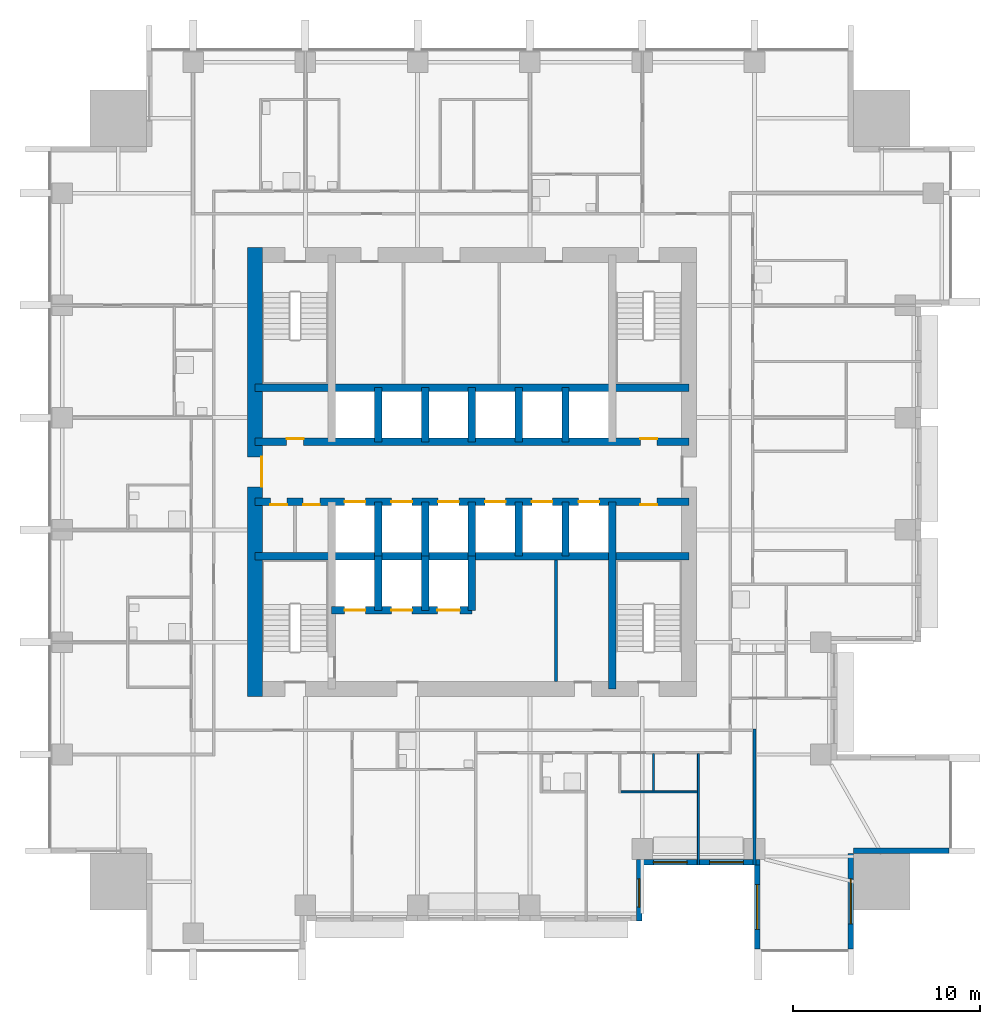
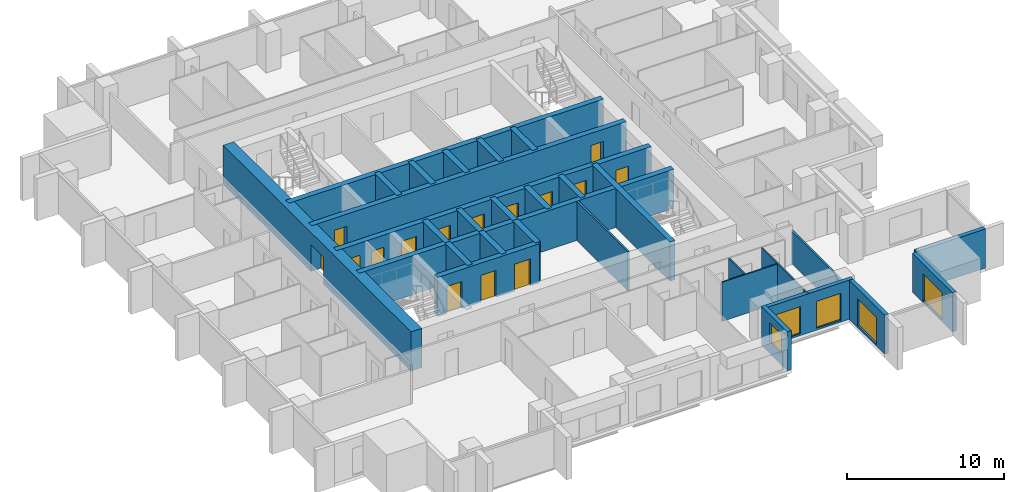
# One storey, part 5 of 10: 30 walls, 15 doors, 5 windows, 20 openings.
"""IFC4 building model written with IfcOpenShell, lengths in metres."""

from ifc_helpers import new_model, si_unit, direction, frame, frame_2d, origin, place, context, subcontext, project, spatial, rectangle, extrude, material, layer, layer_set, type_object, element, fill, save


model = new_model("IFC4")

# Units and contexts
model_context = context("Model", 3, precision=1e-05, world=origin(), true_north=direction((0.0, 1.0)))
body_context = subcontext(model_context, "Body", "Model", "MODEL_VIEW")
ifc_project = project(units=[si_unit("LENGTHUNIT", "METRE"), si_unit("AREAUNIT", "SQUARE_METRE"), si_unit("VOLUMEUNIT", "CUBIC_METRE"), si_unit("PLANEANGLEUNIT", "RADIAN"), si_unit("MASSUNIT", "GRAM", prefix="KILO")], contexts=[model_context])

# Site, building, storey
site_placement = place(None, origin())
site = spatial("IfcSite", under=ifc_project, at=site_placement, CompositionType="ELEMENT")
building_placement = place(site_placement, origin())
building = spatial("IfcBuilding", under=site, at=building_placement, Name="Amberfall Residences", CompositionType="ELEMENT")
storey_placement = place(building_placement, frame((0.0, 0.0, 85.300048828125)))
storey = spatial("IfcBuildingStorey", under=building, at=storey_placement, Name="L22", CompositionType="ELEMENT", Elevation=85.300048828125)

# Wall, opening, window
ifc_material_1 = material(Name="Pale stone cladding on insulated backing", Category="masonry")
ifc_layer_1 = layer(ifc_material_1, 0.300048828125)
ifc_layer_set_1 = layer_set([ifc_layer_1], Name="Bronze clad wall 300")
wall_type_1 = type_object("IfcWallType", Name="Bronze clad wall 300", PredefinedType="SOLIDWALL", material=ifc_layer_set_1)
wall_1_placement = place(storey_placement, frame((83.449951171875, 21.5, 0.0), z_axis=(0.0, 0.0, 1.0), x_axis=(0.0, 1.0, 0.0)))
wall_1 = element("IfcWall", 1, at=wall_1_placement, inside=storey, type_object=wall_type_1, Name="External wall L22 S", PredefinedType="SOLIDWALL", context=body_context, shape_type="SweptSolid", body=[
    extrude(rectangle(XDim=3.300048828125, YDim=0.300048828125, at=frame_2d((1.64990234375, 0.0))), origin(), (0.0, 0.0, 1.0), 3.050048828125),
])
opening_1_placement = place(wall_1_placement, frame((0.75, 0.0, 0.89990234375)))
opening_1 = element("IfcOpeningElement", 2, at=opening_1_placement, cuts=wall_1, Name="Opening WN1", PredefinedType="OPENING", context=body_context, shape_type="SweptSolid", body=[
    extrude(rectangle(XDim=1.5, YDim=1.5, at=frame_2d((0.75, 0.75))), frame((0.0, 0.159912109375, 0.0), z_axis=(0.0, -1.0, 0.0), x_axis=(1.0, 0.0, 0.0)), (0.0, 0.0, 1.0), 0.320068359375),
])
ifc_material_2 = material(Name="Bronze aluminium framed glazing", Category="aluminium")
window_type_1 = type_object("IfcWindowType", Name="Window 1500 x 1500 bronze", PartitioningType="DOUBLE_PANEL_VERTICAL", PredefinedType="WINDOW", material=ifc_material_2)
window_1_placement = place(opening_1_placement, origin())
window_1 = element("IfcWindow", 3, at=window_1_placement, inside=storey, type_object=window_type_1, Name="Window L22 S", OverallHeight=1.5, OverallWidth=1.5, PartitioningType="DOUBLE_PANEL_VERTICAL", PredefinedType="WINDOW", context=body_context, shape_type="SweptSolid", body=[
    extrude(rectangle(XDim=1.5, YDim=1.5, at=frame_2d((0.75, 0.75))), frame((0.0, 0.030029296875, 0.0), z_axis=(0.0, -1.0, 0.0), x_axis=(1.0, 0.0, 0.0)), (0.0, 0.0, 1.0), 0.06005859375),
])
fill(opening_1, window_1)

wall_2_placement = place(storey_placement, frame((89.75, 24.5, 0.0), z_axis=(0.0, 0.0, 1.0), x_axis=(0.0, -1.0, 0.0)))
wall_2 = element("IfcWall", 4, at=wall_2_placement, inside=storey, type_object=wall_type_1, Name="External wall L22 S", PredefinedType="SOLIDWALL", context=body_context, shape_type="SweptSolid", body=[
    extrude(rectangle(XDim=4.5, YDim=0.300048828125, at=frame_2d((2.25, 0.0))), origin(), (0.0, 0.0, 1.0), 3.050048828125),
])
opening_2_placement = place(wall_2_placement, frame((1.050048828125, 0.0, 0.14990234375)))
opening_2 = element("IfcOpeningElement", 5, at=opening_2_placement, cuts=wall_2, Name="Opening WN5", PredefinedType="OPENING", context=body_context, shape_type="SweptSolid", body=[
    extrude(rectangle(XDim=2.39990234375, YDim=2.10009765625, at=frame_2d((1.199951171875, 1.050048828125))), frame((0.0, 0.159912109375, 0.0), z_axis=(0.0, -1.0, 0.0), x_axis=(1.0, 0.0, 0.0)), (0.0, 0.0, 1.0), 0.320068359375),
])
window_type_2 = type_object("IfcWindowType", Name="Glazed opening 2400 x 2100 bronze", PartitioningType="DOUBLE_PANEL_VERTICAL", PredefinedType="WINDOW", material=ifc_material_2)
window_2_placement = place(opening_2_placement, origin())
window_2 = element("IfcWindow", 6, at=window_2_placement, inside=storey, type_object=window_type_2, Name="Window L22 S", OverallHeight=2.10009765625, OverallWidth=2.39990234375, PartitioningType="DOUBLE_PANEL_VERTICAL", PredefinedType="WINDOW", context=body_context, shape_type="SweptSolid", body=[
    extrude(rectangle(XDim=2.39990234375, YDim=2.10009765625, at=frame_2d((1.199951171875, 1.050048828125))), frame((0.0, 0.030029296875, 0.0), z_axis=(0.0, -1.0, 0.0), x_axis=(1.0, 0.0, 0.0)), (0.0, 0.0, 1.0), 0.06005859375),
])
fill(opening_2, window_2)

wall_3_placement = place(storey_placement, frame((94.75, 20.0, 0.0), z_axis=(0.0, 0.0, 1.0), x_axis=(0.0, 1.0, 0.0)))
wall_3 = element("IfcWall", 7, at=wall_3_placement, inside=storey, type_object=wall_type_1, Name="External wall L22 SE", PredefinedType="SOLIDWALL", context=body_context, shape_type="SweptSolid", body=[
    extrude(rectangle(XDim=5.10009765625, YDim=0.300048828125, at=frame_2d((2.550048828125, 0.0))), origin(), (0.0, 0.0, 1.0), 3.050048828125),
])
opening_3_placement = place(wall_3_placement, frame((1.35009765625, 0.0, 0.14990234375)))
opening_3 = element("IfcOpeningElement", 8, at=opening_3_placement, cuts=wall_3, Name="Opening WN5", PredefinedType="OPENING", context=body_context, shape_type="SweptSolid", body=[
    extrude(rectangle(XDim=2.39990234375, YDim=2.10009765625, at=frame_2d((1.199951171875, 1.050048828125))), frame((0.0, 0.159912109375, 0.0), z_axis=(0.0, -1.0, 0.0), x_axis=(1.0, 0.0, 0.0)), (0.0, 0.0, 1.0), 0.320068359375),
])
window_3_placement = place(opening_3_placement, origin())
window_3 = element("IfcWindow", 9, at=window_3_placement, inside=storey, type_object=window_type_2, Name="Window L22 SE", OverallHeight=2.10009765625, OverallWidth=2.39990234375, PartitioningType="DOUBLE_PANEL_VERTICAL", PredefinedType="WINDOW", context=body_context, shape_type="SweptSolid", body=[
    extrude(rectangle(XDim=2.39990234375, YDim=2.10009765625, at=frame_2d((1.199951171875, 1.050048828125))), frame((0.0, 0.030029296875, 0.0), z_axis=(0.0, -1.0, 0.0), x_axis=(1.0, 0.0, 0.0)), (0.0, 0.0, 1.0), 0.06005859375),
])
fill(opening_3, window_3)

# Wall
wall_4_placement = place(storey_placement, frame((94.89990234375, 25.25, 0.0), z_axis=(0.0, 0.0, 1.0), x_axis=(1.0, 0.0, 0.0)))
element("IfcWall", 10, at=wall_4_placement, inside=storey, type_object=wall_type_1, Name="External wall L22 SE", PredefinedType="SOLIDWALL", context=body_context, shape_type="SweptSolid", body=[
    extrude(rectangle(XDim=5.10009765625, YDim=0.300048828125, at=frame_2d((2.550048828125, 0.0))), origin(), (0.0, 0.0, 1.0), 3.050048828125),
])

# Wall, openings, windows
wall_5_placement = place(storey_placement, frame((83.60009765625, 24.64990234375, 0.0), z_axis=(0.0, 0.0, 1.0), x_axis=(1.0, 0.0, 0.0)))
wall_5 = element("IfcWall", 11, at=wall_5_placement, inside=storey, type_object=wall_type_1, Name="Stone wall L22 S", PredefinedType="SOLIDWALL", context=body_context, shape_type="SweptSolid", body=[
    extrude(rectangle(XDim=6.2998046875, YDim=0.300048828125, at=frame_2d((3.14990234375, 0.0))), origin(), (0.0, 0.0, 1.0), 3.050048828125),
])
opening_4_placement = place(wall_5_placement, frame((0.60009765625, 0.0, 0.14990234375)))
opening_4 = element("IfcOpeningElement", 12, at=opening_4_placement, cuts=wall_5, Name="Opening WN6", PredefinedType="OPENING", context=body_context, shape_type="SweptSolid", body=[
    extrude(rectangle(XDim=1.800048828125, YDim=2.10009765625, at=frame_2d((0.89990234375, 1.050048828125))), frame((0.0, 0.159912109375, 0.0), z_axis=(0.0, -1.0, 0.0), x_axis=(1.0, 0.0, 0.0)), (0.0, 0.0, 1.0), 0.320068359375),
])
opening_5_placement = place(wall_5_placement, frame((3.60009765625, 0.0, 0.14990234375)))
opening_5 = element("IfcOpeningElement", 13, at=opening_5_placement, cuts=wall_5, Name="Opening WN6", PredefinedType="OPENING", context=body_context, shape_type="SweptSolid", body=[
    extrude(rectangle(XDim=1.800048828125, YDim=2.10009765625, at=frame_2d((0.89990234375, 1.050048828125))), frame((0.0, 0.159912109375, 0.0), z_axis=(0.0, -1.0, 0.0), x_axis=(1.0, 0.0, 0.0)), (0.0, 0.0, 1.0), 0.320068359375),
])
window_type_3 = type_object("IfcWindowType", Name="Glazed opening 1800 x 2100 bronze", PartitioningType="DOUBLE_PANEL_VERTICAL", PredefinedType="WINDOW", material=ifc_material_2)
window_4_placement = place(opening_4_placement, origin())
window_4 = element("IfcWindow", 14, at=window_4_placement, inside=storey, type_object=window_type_3, Name="Window L22 S", OverallHeight=2.10009765625, OverallWidth=1.800048828125, PartitioningType="DOUBLE_PANEL_VERTICAL", PredefinedType="WINDOW", context=body_context, shape_type="SweptSolid", body=[
    extrude(rectangle(XDim=1.800048828125, YDim=2.10009765625, at=frame_2d((0.89990234375, 1.050048828125))), frame((0.0, 0.030029296875, 0.0), z_axis=(0.0, -1.0, 0.0), x_axis=(1.0, 0.0, 0.0)), (0.0, 0.0, 1.0), 0.06005859375),
])
fill(opening_4, window_4)
window_5_placement = place(opening_5_placement, origin())
window_5 = element("IfcWindow", 15, at=window_5_placement, inside=storey, type_object=window_type_3, Name="Window L22 S", OverallHeight=2.10009765625, OverallWidth=1.800048828125, PartitioningType="DOUBLE_PANEL_VERTICAL", PredefinedType="WINDOW", context=body_context, shape_type="SweptSolid", body=[
    extrude(rectangle(XDim=1.800048828125, YDim=2.10009765625, at=frame_2d((0.89990234375, 1.050048828125))), frame((0.0, 0.030029296875, 0.0), z_axis=(0.0, -1.0, 0.0), x_axis=(1.0, 0.0, 0.0)), (0.0, 0.0, 1.0), 0.06005859375),
])
fill(opening_5, window_5)

# Wall
ifc_material_3 = material(Name="Concrete C70", Category="concrete")
ifc_layer_2 = layer(ifc_material_3, 0.39990234375)
ifc_layer_set_2 = layer_set([ifc_layer_2], Name="Core wall 400 C70")
wall_type_2 = type_object("IfcWallType", Name="Core wall 400 C70", PredefinedType="SHEAR", material=ifc_layer_set_2)
wall_6_placement = place(storey_placement, frame((62.89990234375, 41.0, 0.0), z_axis=(0.0, 0.0, 1.0), x_axis=(1.0, 0.0, 0.0)))
element("IfcWall", 16, at=wall_6_placement, inside=storey, type_object=wall_type_2, Name="Core wall RW4 L22 H75", PredefinedType="SHEAR", context=body_context, shape_type="SweptSolid", body=[
    extrude(rectangle(XDim=23.2001953125, YDim=0.39990234375, at=frame_2d((11.60009765625, 0.0))), origin(), (0.0, 0.0, 1.0), 3.050048828125),
])

# Wall, openings, doors
wall_7_placement = place(storey_placement, frame((62.89990234375, 43.89990234375, 0.0), z_axis=(0.0, 0.0, 1.0), x_axis=(1.0, 0.0, 0.0)))
wall_7 = element("IfcWall", 17, at=wall_7_placement, inside=storey, type_object=wall_type_2, Name="Core wall RW4 L22 H104", PredefinedType="SHEAR", context=body_context, shape_type="SweptSolid", body=[
    extrude(rectangle(XDim=23.2001953125, YDim=0.39990234375, at=frame_2d((11.60009765625, 0.0))), origin(), (0.0, 0.0, 1.0), 3.050048828125),
])
opening_6_placement = place(wall_7_placement, frame((0.824951171875, 0.0, 0.0)))
opening_6 = element("IfcOpeningElement", 18, at=opening_6_placement, cuts=wall_7, Name="Opening RD1", PredefinedType="OPENING", context=body_context, shape_type="SweptSolid", body=[
    extrude(rectangle(XDim=0.89990234375, YDim=2.10009765625, at=frame_2d((0.449951171875, 1.050048828125))), frame((0.0, 0.2099609375, 0.0), z_axis=(0.0, -1.0, 0.0), x_axis=(1.0, 0.0, 0.0)), (0.0, 0.0, 1.0), 0.419921875),
])
opening_7_placement = place(wall_7_placement, frame((2.574951171875, 0.0, 0.0)))
opening_7 = element("IfcOpeningElement", 19, at=opening_7_placement, cuts=wall_7, Name="Opening RD1", PredefinedType="OPENING", context=body_context, shape_type="SweptSolid", body=[
    extrude(rectangle(XDim=0.89990234375, YDim=2.10009765625, at=frame_2d((0.449951171875, 1.050048828125))), frame((0.0, 0.2099609375, 0.0), z_axis=(0.0, -1.0, 0.0), x_axis=(1.0, 0.0, 0.0)), (0.0, 0.0, 1.0), 0.419921875),
])
opening_8_placement = place(wall_7_placement, frame((20.60009765625, 0.0, 0.0)))
opening_8 = element("IfcOpeningElement", 20, at=opening_8_placement, cuts=wall_7, Name="Opening RD1", PredefinedType="OPENING", context=body_context, shape_type="SweptSolid", body=[
    extrude(rectangle(XDim=0.89990234375, YDim=2.10009765625, at=frame_2d((0.449951171875, 1.050048828125))), frame((0.0, 0.2099609375, 0.0), z_axis=(0.0, -1.0, 0.0), x_axis=(1.0, 0.0, 0.0)), (0.0, 0.0, 1.0), 0.419921875),
])
opening_9_placement = place(wall_7_placement, frame((4.800048828125, 0.0, 0.0)))
opening_9 = element("IfcOpeningElement", 21, at=opening_9_placement, cuts=wall_7, Name="Opening LD1", PredefinedType="OPENING", context=body_context, shape_type="SweptSolid", body=[
    extrude(rectangle(XDim=1.10009765625, YDim=2.10009765625, at=frame_2d((0.550048828125, 1.050048828125))), frame((0.0, 0.2099609375, 0.0), z_axis=(0.0, -1.0, 0.0), x_axis=(1.0, 0.0, 0.0)), (0.0, 0.0, 1.0), 0.419921875),
])
opening_10_placement = place(wall_7_placement, frame((7.300048828125, 0.0, 0.0)))
opening_10 = element("IfcOpeningElement", 22, at=opening_10_placement, cuts=wall_7, Name="Opening LD1", PredefinedType="OPENING", context=body_context, shape_type="SweptSolid", body=[
    extrude(rectangle(XDim=1.10009765625, YDim=2.10009765625, at=frame_2d((0.550048828125, 1.050048828125))), frame((0.0, 0.2099609375, 0.0), z_axis=(0.0, -1.0, 0.0), x_axis=(1.0, 0.0, 0.0)), (0.0, 0.0, 1.0), 0.419921875),
])
opening_11_placement = place(wall_7_placement, frame((9.800048828125, 0.0, 0.0)))
opening_11 = element("IfcOpeningElement", 23, at=opening_11_placement, cuts=wall_7, Name="Opening LD1", PredefinedType="OPENING", context=body_context, shape_type="SweptSolid", body=[
    extrude(rectangle(XDim=1.10009765625, YDim=2.10009765625, at=frame_2d((0.550048828125, 1.050048828125))), frame((0.0, 0.2099609375, 0.0), z_axis=(0.0, -1.0, 0.0), x_axis=(1.0, 0.0, 0.0)), (0.0, 0.0, 1.0), 0.419921875),
])
opening_12_placement = place(wall_7_placement, frame((12.300048828125, 0.0, 0.0)))
opening_12 = element("IfcOpeningElement", 24, at=opening_12_placement, cuts=wall_7, Name="Opening LD1", PredefinedType="OPENING", context=body_context, shape_type="SweptSolid", body=[
    extrude(rectangle(XDim=1.10009765625, YDim=2.10009765625, at=frame_2d((0.550048828125, 1.050048828125))), frame((0.0, 0.2099609375, 0.0), z_axis=(0.0, -1.0, 0.0), x_axis=(1.0, 0.0, 0.0)), (0.0, 0.0, 1.0), 0.419921875),
])
opening_13_placement = place(wall_7_placement, frame((14.800048828125, 0.0, 0.0)))
opening_13 = element("IfcOpeningElement", 25, at=opening_13_placement, cuts=wall_7, Name="Opening LD1", PredefinedType="OPENING", context=body_context, shape_type="SweptSolid", body=[
    extrude(rectangle(XDim=1.10009765625, YDim=2.10009765625, at=frame_2d((0.550048828125, 1.050048828125))), frame((0.0, 0.2099609375, 0.0), z_axis=(0.0, -1.0, 0.0), x_axis=(1.0, 0.0, 0.0)), (0.0, 0.0, 1.0), 0.419921875),
])
opening_14_placement = place(wall_7_placement, frame((17.300048828125, 0.0, 0.0)))
opening_14 = element("IfcOpeningElement", 26, at=opening_14_placement, cuts=wall_7, Name="Opening LD1", PredefinedType="OPENING", context=body_context, shape_type="SweptSolid", body=[
    extrude(rectangle(XDim=1.10009765625, YDim=2.10009765625, at=frame_2d((0.550048828125, 1.050048828125))), frame((0.0, 0.2099609375, 0.0), z_axis=(0.0, -1.0, 0.0), x_axis=(1.0, 0.0, 0.0)), (0.0, 0.0, 1.0), 0.419921875),
])
ifc_material_4 = material(Name="Steel fire door set", Category="steel")
door_type_1 = type_object("IfcDoorType", Name="Lift landing door 1100 x 2100", OperationType="DOUBLE_DOOR_SLIDING", PredefinedType="DOOR", material=ifc_material_4)
door_1_placement = place(opening_9_placement, origin())
door_1 = element("IfcDoor", 27, at=door_1_placement, inside=storey, type_object=door_type_1, Name="Landing door LP1 L22", OperationType="DOUBLE_DOOR_SLIDING", OverallHeight=2.10009765625, OverallWidth=1.10009765625, PredefinedType="DOOR", context=body_context, shape_type="SweptSolid", body=[
    extrude(rectangle(XDim=1.10009765625, YDim=2.10009765625, at=frame_2d((0.550048828125, 1.050048828125))), frame((0.0, 0.02490234375, 0.0), z_axis=(0.0, -1.0, 0.0), x_axis=(1.0, 0.0, 0.0)), (0.0, 0.0, 1.0), 0.050048828125),
])
fill(opening_9, door_1)
door_2_placement = place(opening_10_placement, origin())
door_2 = element("IfcDoor", 28, at=door_2_placement, inside=storey, type_object=door_type_1, Name="Landing door LP2 L22", OperationType="DOUBLE_DOOR_SLIDING", OverallHeight=2.10009765625, OverallWidth=1.10009765625, PredefinedType="DOOR", context=body_context, shape_type="SweptSolid", body=[
    extrude(rectangle(XDim=1.10009765625, YDim=2.10009765625, at=frame_2d((0.550048828125, 1.050048828125))), frame((0.0, 0.02490234375, 0.0), z_axis=(0.0, -1.0, 0.0), x_axis=(1.0, 0.0, 0.0)), (0.0, 0.0, 1.0), 0.050048828125),
])
fill(opening_10, door_2)
door_3_placement = place(opening_11_placement, origin())
door_3 = element("IfcDoor", 29, at=door_3_placement, inside=storey, type_object=door_type_1, Name="Landing door LP3 L22", OperationType="DOUBLE_DOOR_SLIDING", OverallHeight=2.10009765625, OverallWidth=1.10009765625, PredefinedType="DOOR", context=body_context, shape_type="SweptSolid", body=[
    extrude(rectangle(XDim=1.10009765625, YDim=2.10009765625, at=frame_2d((0.550048828125, 1.050048828125))), frame((0.0, 0.02490234375, 0.0), z_axis=(0.0, -1.0, 0.0), x_axis=(1.0, 0.0, 0.0)), (0.0, 0.0, 1.0), 0.050048828125),
])
fill(opening_11, door_3)
door_4_placement = place(opening_12_placement, origin())
door_4 = element("IfcDoor", 30, at=door_4_placement, inside=storey, type_object=door_type_1, Name="Landing door LP4 L22", OperationType="DOUBLE_DOOR_SLIDING", OverallHeight=2.10009765625, OverallWidth=1.10009765625, PredefinedType="DOOR", context=body_context, shape_type="SweptSolid", body=[
    extrude(rectangle(XDim=1.10009765625, YDim=2.10009765625, at=frame_2d((0.550048828125, 1.050048828125))), frame((0.0, 0.02490234375, 0.0), z_axis=(0.0, -1.0, 0.0), x_axis=(1.0, 0.0, 0.0)), (0.0, 0.0, 1.0), 0.050048828125),
])
fill(opening_12, door_4)
door_5_placement = place(opening_13_placement, origin())
door_5 = element("IfcDoor", 31, at=door_5_placement, inside=storey, type_object=door_type_1, Name="Landing door LP5 L22", OperationType="DOUBLE_DOOR_SLIDING", OverallHeight=2.10009765625, OverallWidth=1.10009765625, PredefinedType="DOOR", context=body_context, shape_type="SweptSolid", body=[
    extrude(rectangle(XDim=1.10009765625, YDim=2.10009765625, at=frame_2d((0.550048828125, 1.050048828125))), frame((0.0, 0.02490234375, 0.0), z_axis=(0.0, -1.0, 0.0), x_axis=(1.0, 0.0, 0.0)), (0.0, 0.0, 1.0), 0.050048828125),
])
fill(opening_13, door_5)
door_6_placement = place(opening_14_placement, origin())
door_6 = element("IfcDoor", 32, at=door_6_placement, inside=storey, type_object=door_type_1, Name="Landing door LP6 L22", OperationType="DOUBLE_DOOR_SLIDING", OverallHeight=2.10009765625, OverallWidth=1.10009765625, PredefinedType="DOOR", context=body_context, shape_type="SweptSolid", body=[
    extrude(rectangle(XDim=1.10009765625, YDim=2.10009765625, at=frame_2d((0.550048828125, 1.050048828125))), frame((0.0, 0.02490234375, 0.0), z_axis=(0.0, -1.0, 0.0), x_axis=(1.0, 0.0, 0.0)), (0.0, 0.0, 1.0), 0.050048828125),
])
fill(opening_14, door_6)
door_type_2 = type_object("IfcDoorType", Name="Service room door 900 x 2100", OperationType="SINGLE_SWING_LEFT", PredefinedType="DOOR", material=ifc_material_4)
door_7_placement = place(opening_6_placement, origin())
door_7 = element("IfcDoor", 33, at=door_7_placement, inside=storey, type_object=door_type_2, Name="RD1 L22", OperationType="SINGLE_SWING_LEFT", OverallHeight=2.10009765625, OverallWidth=0.89990234375, PredefinedType="DOOR", context=body_context, shape_type="SweptSolid", body=[
    extrude(rectangle(XDim=0.89990234375, YDim=2.10009765625, at=frame_2d((0.449951171875, 1.050048828125))), frame((0.0, -0.1376953125, 0.0), z_axis=(0.0, -1.0, 0.0), x_axis=(1.0, 0.0, 0.0)), (0.0, 0.0, 1.0), 0.050048828125),
])
fill(opening_6, door_7)
door_8_placement = place(opening_7_placement, origin())
door_8 = element("IfcDoor", 34, at=door_8_placement, inside=storey, type_object=door_type_2, Name="RD1 L22", OperationType="SINGLE_SWING_RIGHT", OverallHeight=2.10009765625, OverallWidth=0.89990234375, PredefinedType="DOOR", context=body_context, shape_type="SweptSolid", body=[
    extrude(rectangle(XDim=0.89990234375, YDim=2.10009765625, at=frame_2d((0.449951171875, 1.050048828125))), frame((0.0, -0.1376953125, 0.0), z_axis=(0.0, -1.0, 0.0), x_axis=(1.0, 0.0, 0.0)), (0.0, 0.0, 1.0), 0.050048828125),
])
fill(opening_7, door_8)
door_9_placement = place(opening_8_placement, origin())
door_9 = element("IfcDoor", 35, at=door_9_placement, inside=storey, type_object=door_type_2, Name="RD1 L22", OperationType="SINGLE_SWING_LEFT", OverallHeight=2.10009765625, OverallWidth=0.89990234375, PredefinedType="DOOR", context=body_context, shape_type="SweptSolid", body=[
    extrude(rectangle(XDim=0.89990234375, YDim=2.10009765625, at=frame_2d((0.449951171875, 1.050048828125))), frame((0.0, -0.1376953125, 0.0), z_axis=(0.0, -1.0, 0.0), x_axis=(1.0, 0.0, 0.0)), (0.0, 0.0, 1.0), 0.050048828125),
])
fill(opening_8, door_9)

wall_8_placement = place(storey_placement, frame((62.89990234375, 47.10009765625, 0.0), z_axis=(0.0, 0.0, 1.0), x_axis=(1.0, 0.0, 0.0)))
wall_8 = element("IfcWall", 36, at=wall_8_placement, inside=storey, type_object=wall_type_2, Name="Core wall RW4 L22 H136", PredefinedType="SHEAR", context=body_context, shape_type="SweptSolid", body=[
    extrude(rectangle(XDim=23.2001953125, YDim=0.39990234375, at=frame_2d((11.60009765625, 0.0))), origin(), (0.0, 0.0, 1.0), 3.050048828125),
])
opening_15_placement = place(wall_8_placement, frame((1.699951171875, 0.0, 0.0)))
opening_15 = element("IfcOpeningElement", 37, at=opening_15_placement, cuts=wall_8, Name="Opening RD1", PredefinedType="OPENING", context=body_context, shape_type="SweptSolid", body=[
    extrude(rectangle(XDim=0.89990234375, YDim=2.10009765625, at=frame_2d((0.449951171875, 1.050048828125))), frame((0.0, 0.2099609375, 0.0), z_axis=(0.0, -1.0, 0.0), x_axis=(1.0, 0.0, 0.0)), (0.0, 0.0, 1.0), 0.419921875),
])
opening_16_placement = place(wall_8_placement, frame((20.60009765625, 0.0, 0.0)))
opening_16 = element("IfcOpeningElement", 38, at=opening_16_placement, cuts=wall_8, Name="Opening RD1", PredefinedType="OPENING", context=body_context, shape_type="SweptSolid", body=[
    extrude(rectangle(XDim=0.89990234375, YDim=2.10009765625, at=frame_2d((0.449951171875, 1.050048828125))), frame((0.0, 0.2099609375, 0.0), z_axis=(0.0, -1.0, 0.0), x_axis=(1.0, 0.0, 0.0)), (0.0, 0.0, 1.0), 0.419921875),
])
door_10_placement = place(opening_15_placement, origin())
door_10 = element("IfcDoor", 39, at=door_10_placement, inside=storey, type_object=door_type_2, Name="RD1 L22", OperationType="SINGLE_SWING_LEFT", OverallHeight=2.10009765625, OverallWidth=0.89990234375, PredefinedType="DOOR", context=body_context, shape_type="SweptSolid", body=[
    extrude(rectangle(XDim=0.89990234375, YDim=2.10009765625, at=frame_2d((0.449951171875, 1.050048828125))), frame((0.0, 0.1875, 0.0), z_axis=(0.0, -1.0, 0.0), x_axis=(1.0, 0.0, 0.0)), (0.0, 0.0, 1.0), 0.050048828125),
])
fill(opening_15, door_10)
door_11_placement = place(opening_16_placement, origin())
door_11 = element("IfcDoor", 40, at=door_11_placement, inside=storey, type_object=door_type_2, Name="RD1 L22", OperationType="SINGLE_SWING_LEFT", OverallHeight=2.10009765625, OverallWidth=0.89990234375, PredefinedType="DOOR", context=body_context, shape_type="SweptSolid", body=[
    extrude(rectangle(XDim=0.89990234375, YDim=2.10009765625, at=frame_2d((0.449951171875, 1.050048828125))), frame((0.0, 0.1875, 0.0), z_axis=(0.0, -1.0, 0.0), x_axis=(1.0, 0.0, 0.0)), (0.0, 0.0, 1.0), 0.050048828125),
])
fill(opening_16, door_11)

# Walls
wall_9_placement = place(storey_placement, frame((62.89990234375, 50.0, 0.0), z_axis=(0.0, 0.0, 1.0), x_axis=(1.0, 0.0, 0.0)))
element("IfcWall", 41, at=wall_9_placement, inside=storey, type_object=wall_type_2, Name="Core wall RW4 L22 H165", PredefinedType="SHEAR", context=body_context, shape_type="SweptSolid", body=[
    extrude(rectangle(XDim=23.2001953125, YDim=0.39990234375, at=frame_2d((11.60009765625, 0.0))), origin(), (0.0, 0.0, 1.0), 3.050048828125),
])
wall_10_placement = place(storey_placement, frame((82.0, 33.89990234375, 0.0), z_axis=(0.0, 0.0, 1.0), x_axis=(0.0, 1.0, 0.0)))
element("IfcWall", 42, at=wall_10_placement, inside=storey, type_object=wall_type_2, Name="Core wall RW4 L22 V195S", PredefinedType="SHEAR", context=body_context, shape_type="SweptSolid", body=[
    extrude(rectangle(XDim=10.0, YDim=0.39990234375, at=frame_2d((5.0, 0.0))), origin(), (0.0, 0.0, 1.0), 3.050048828125),
])
for number, where, z_axis, x_axis, name in (
    (43, (69.5, 41.0, 0.0), (0.0, 0.0, 1.0), (0.0, 1.0, 0.0), "Core wall RW4 L22 LPD1"),
    (44, (69.5, 47.10009765625, 0.0), (0.0, 0.0, 1.0), (0.0, 1.0, 0.0), "Core wall RW4 L22 HPD1"),
    (45, (72.0, 41.0, 0.0), (0.0, 0.0, 1.0), (0.0, 1.0, 0.0), "Core wall RW4 L22 LPD2"),
    (46, (72.0, 47.10009765625, 0.0), (0.0, 0.0, 1.0), (0.0, 1.0, 0.0), "Core wall RW4 L22 HPD2"),
    (47, (74.5, 41.0, 0.0), (0.0, 0.0, 1.0), (0.0, 1.0, 0.0), "Core wall RW4 L22 LPD3"),
    (48, (74.5, 47.10009765625, 0.0), (0.0, 0.0, 1.0), (0.0, 1.0, 0.0), "Core wall RW4 L22 HPD3"),
    (49, (77.0, 41.0, 0.0), (0.0, 0.0, 1.0), (0.0, 1.0, 0.0), "Core wall RW4 L22 LPD4"),
    (50, (77.0, 47.10009765625, 0.0), (0.0, 0.0, 1.0), (0.0, 1.0, 0.0), "Core wall RW4 L22 HPD4"),
    (51, (79.5, 41.0, 0.0), (0.0, 0.0, 1.0), (0.0, 1.0, 0.0), "Core wall RW4 L22 LPD5"),
    (52, (79.5, 47.10009765625, 0.0), (0.0, 0.0, 1.0), (0.0, 1.0, 0.0), "Core wall RW4 L22 HPD5"),
):
    element("IfcWall", number, at=place(storey_placement, frame(where, z_axis=z_axis, x_axis=x_axis)), inside=storey, type_object=wall_type_2, Name=name, PredefinedType="SHEAR", context=body_context, shape_type="SweptSolid", body=[
        extrude(rectangle(XDim=2.89990234375, YDim=0.39990234375, at=frame_2d((1.449951171875, 0.0))), origin(), (0.0, 0.0, 1.0), 3.050048828125),
    ])

# Wall, openings, doors
wall_11_placement = place(storey_placement, frame((67.0, 38.10009765625, 0.0), z_axis=(0.0, 0.0, 1.0), x_axis=(1.0, 0.0, 0.0)))
wall_11 = element("IfcWall", 53, at=wall_11_placement, inside=storey, type_object=wall_type_2, Name="Core wall RW4 L22 FFF", PredefinedType="SHEAR", context=body_context, shape_type="SweptSolid", body=[
    extrude(rectangle(XDim=7.5, YDim=0.39990234375, at=frame_2d((3.75, 0.0))), origin(), (0.0, 0.0, 1.0), 3.050048828125),
])
opening_17_placement = place(wall_11_placement, frame((0.699951171875, 0.0, 0.0)))
opening_17 = element("IfcOpeningElement", 54, at=opening_17_placement, cuts=wall_11, Name="Opening LD2", PredefinedType="OPENING", context=body_context, shape_type="SweptSolid", body=[
    extrude(rectangle(XDim=1.10009765625, YDim=2.10009765625, at=frame_2d((0.550048828125, 1.050048828125))), frame((0.0, 0.2099609375, 0.0), z_axis=(0.0, -1.0, 0.0), x_axis=(1.0, 0.0, 0.0)), (0.0, 0.0, 1.0), 0.419921875),
])
opening_18_placement = place(wall_11_placement, frame((3.199951171875, 0.0, 0.0)))
opening_18 = element("IfcOpeningElement", 55, at=opening_18_placement, cuts=wall_11, Name="Opening LD2", PredefinedType="OPENING", context=body_context, shape_type="SweptSolid", body=[
    extrude(rectangle(XDim=1.10009765625, YDim=2.10009765625, at=frame_2d((0.550048828125, 1.050048828125))), frame((0.0, 0.2099609375, 0.0), z_axis=(0.0, -1.0, 0.0), x_axis=(1.0, 0.0, 0.0)), (0.0, 0.0, 1.0), 0.419921875),
])
opening_19_placement = place(wall_11_placement, frame((5.64990234375, 0.0, 0.0)))
opening_19 = element("IfcOpeningElement", 56, at=opening_19_placement, cuts=wall_11, Name="Opening LD3", PredefinedType="OPENING", context=body_context, shape_type="SweptSolid", body=[
    extrude(rectangle(XDim=1.199951171875, YDim=2.10009765625, at=frame_2d((0.60009765625, 1.050048828125))), frame((0.0, 0.2099609375, 0.0), z_axis=(0.0, -1.0, 0.0), x_axis=(1.0, 0.0, 0.0)), (0.0, 0.0, 1.0), 0.419921875),
])
door_type_3 = type_object("IfcDoorType", Name="Firefighting lift landing door 1100 x 2100", OperationType="DOUBLE_DOOR_SLIDING", PredefinedType="DOOR", material=ifc_material_4)
door_12_placement = place(opening_17_placement, origin())
door_12 = element("IfcDoor", 57, at=door_12_placement, inside=storey, type_object=door_type_3, Name="Landing door FF1 L22", OperationType="DOUBLE_DOOR_SLIDING", OverallHeight=2.10009765625, OverallWidth=1.10009765625, PredefinedType="DOOR", context=body_context, shape_type="SweptSolid", body=[
    extrude(rectangle(XDim=1.10009765625, YDim=2.10009765625, at=frame_2d((0.550048828125, 1.050048828125))), frame((0.0, 0.02490234375, 0.0), z_axis=(0.0, -1.0, 0.0), x_axis=(1.0, 0.0, 0.0)), (0.0, 0.0, 1.0), 0.050048828125),
])
fill(opening_17, door_12)
door_13_placement = place(opening_18_placement, origin())
door_13 = element("IfcDoor", 58, at=door_13_placement, inside=storey, type_object=door_type_3, Name="Landing door FF2 L22", OperationType="DOUBLE_DOOR_SLIDING", OverallHeight=2.10009765625, OverallWidth=1.10009765625, PredefinedType="DOOR", context=body_context, shape_type="SweptSolid", body=[
    extrude(rectangle(XDim=1.10009765625, YDim=2.10009765625, at=frame_2d((0.550048828125, 1.050048828125))), frame((0.0, 0.02490234375, 0.0), z_axis=(0.0, -1.0, 0.0), x_axis=(1.0, 0.0, 0.0)), (0.0, 0.0, 1.0), 0.050048828125),
])
fill(opening_18, door_13)
door_type_4 = type_object("IfcDoorType", Name="Service lift landing door 1200 x 2100", OperationType="DOUBLE_DOOR_SLIDING", PredefinedType="DOOR", material=ifc_material_4)
door_14_placement = place(opening_19_placement, origin())
door_14 = element("IfcDoor", 59, at=door_14_placement, inside=storey, type_object=door_type_4, Name="Landing door SL1 L22", OperationType="DOUBLE_DOOR_SLIDING", OverallHeight=2.10009765625, OverallWidth=1.199951171875, PredefinedType="DOOR", context=body_context, shape_type="SweptSolid", body=[
    extrude(rectangle(XDim=1.199951171875, YDim=2.10009765625, at=frame_2d((0.60009765625, 1.050048828125))), frame((0.0, 0.02490234375, 0.0), z_axis=(0.0, -1.0, 0.0), x_axis=(1.0, 0.0, 0.0)), (0.0, 0.0, 1.0), 0.050048828125),
])
fill(opening_19, door_14)

# Walls
for number, where, z_axis, x_axis, name in (
    (60, (69.5, 38.10009765625, 0.0), (0.0, 0.0, 1.0), (0.0, 1.0, 0.0), "Core wall RW4 L22 FFD1"),
    (61, (72.0, 38.10009765625, 0.0), (0.0, 0.0, 1.0), (0.0, 1.0, 0.0), "Core wall RW4 L22 FFD2"),
    (62, (74.5, 38.10009765625, 0.0), (0.0, 0.0, 1.0), (0.0, 1.0, 0.0), "Core wall RW4 L22 FFD3"),
):
    element("IfcWall", number, at=place(storey_placement, frame(where, z_axis=z_axis, x_axis=x_axis)), inside=storey, type_object=wall_type_2, Name=name, PredefinedType="SHEAR", context=body_context, shape_type="SweptSolid", body=[
        extrude(rectangle(XDim=2.89990234375, YDim=0.39990234375, at=frame_2d((1.449951171875, 0.0))), origin(), (0.0, 0.0, 1.0), 3.050048828125),
    ])

# Wall, opening, door
ifc_layer_3 = layer(ifc_material_3, 0.800048828125)
ifc_layer_set_3 = layer_set([ifc_layer_3], Name="Core wall 800 C70")
wall_type_3 = type_object("IfcWallType", Name="Core wall 800 C70", PredefinedType="SHEAR", material=ifc_layer_set_3)
wall_12_placement = place(storey_placement, frame((62.89990234375, 33.5, 0.0), z_axis=(0.0, 0.0, 1.0), x_axis=(0.0, 1.0, 0.0)))
wall_12 = element("IfcWall", 63, at=wall_12_placement, inside=storey, type_object=wall_type_3, Name="Core wall RW3 L22 OW", PredefinedType="SHEAR", context=body_context, shape_type="SweptSolid", body=[
    extrude(rectangle(XDim=24.0, YDim=0.800048828125, at=frame_2d((12.0, 0.0))), origin(), (0.0, 0.0, 1.0), 3.050048828125),
])
opening_20_placement = place(wall_12_placement, frame((11.199951171875, 0.0, 0.0)))
opening_20 = element("IfcOpeningElement", 64, at=opening_20_placement, cuts=wall_12, Name="Opening LB1", PredefinedType="OPENING", context=body_context, shape_type="SweptSolid", body=[
    extrude(rectangle(XDim=1.60009765625, YDim=2.10009765625, at=frame_2d((0.800048828125, 1.050048828125))), frame((0.0, 0.409912109375, 0.0), z_axis=(0.0, -1.0, 0.0), x_axis=(1.0, 0.0, 0.0)), (0.0, 0.0, 1.0), 0.820068359375),
])
door_type_5 = type_object("IfcDoorType", Name="Lift lobby double door 1600 x 2100", OperationType="DOUBLE_DOOR_SINGLE_SWING", PredefinedType="DOOR", material=ifc_material_4)
door_15_placement = place(opening_20_placement, origin())
door_15 = element("IfcDoor", 65, at=door_15_placement, inside=storey, type_object=door_type_5, Name="LB1 L22", OperationType="DOUBLE_DOOR_SINGLE_SWING", OverallHeight=2.10009765625, OverallWidth=1.60009765625, PredefinedType="DOOR", context=body_context, shape_type="SweptSolid", body=[
    extrude(rectangle(XDim=1.60009765625, YDim=2.10009765625, at=frame_2d((0.800048828125, 1.050048828125))), frame((0.0, -0.33740234375, 0.0), z_axis=(0.0, -1.0, 0.0), x_axis=(1.0, 0.0, 0.0)), (0.0, 0.0, 1.0), 0.050048828125),
])
fill(opening_20, door_15)

# Walls
ifc_material_5 = material(Name="Gypsum board on metal stud")
ifc_layer_4 = layer(ifc_material_5, 0.10009765625)
ifc_layer_set_4 = layer_set([ifc_layer_4], Name="Flat partition 100")
wall_type_4 = type_object("IfcWallType", Name="Flat partition 100", PredefinedType="PARTITIONING", material=ifc_layer_set_4)
wall_13_placement = place(storey_placement, frame((84.199951171875, 28.449951171875, 0.0), z_axis=(0.0, 0.0, 1.0), x_axis=(0.0, 1.0, 0.0)))
element("IfcWall", 66, at=wall_13_placement, inside=storey, type_object=wall_type_4, Name="Partition 018", PredefinedType="PARTITIONING", context=body_context, shape_type="SweptSolid", body=[
    extrude(rectangle(XDim=2.0, YDim=0.10009765625, at=frame_2d((1.0, 0.0))), origin(), (0.0, 0.0, 1.0), 3.050048828125),
])
wall_14_placement = place(storey_placement, frame((86.60009765625, 24.5, 0.0), z_axis=(0.0, 0.0, 1.0), x_axis=(0.0, 1.0, 0.0)))
element("IfcWall", 67, at=wall_14_placement, inside=storey, type_object=wall_type_4, Name="Partition 019", PredefinedType="PARTITIONING", context=body_context, shape_type="SweptSolid", body=[
    extrude(rectangle(XDim=5.949951171875, YDim=0.10009765625, at=frame_2d((2.97509765625, 0.0))), origin(), (0.0, 0.0, 1.0), 3.050048828125),
])
wall_15_placement = place(storey_placement, frame((82.449951171875, 28.39990234375, 0.0), z_axis=(0.0, 0.0, 1.0), x_axis=(1.0, 0.0, 0.0)))
element("IfcWall", 68, at=wall_15_placement, inside=storey, type_object=wall_type_4, Name="Partition 050", PredefinedType="PARTITIONING", context=body_context, shape_type="SweptSolid", body=[
    extrude(rectangle(XDim=4.10009765625, YDim=0.10009765625, at=frame_2d((2.050048828125, 0.0))), origin(), (0.0, 0.0, 1.0), 3.050048828125),
])
ifc_material_6 = material(Name="Blockwork, plastered", Category="masonry")
ifc_layer_5 = layer(ifc_material_6, 0.14990234375)
ifc_layer_set_5 = layer_set([ifc_layer_5], Name="Flat separating wall 150")
wall_type_5 = type_object("IfcWallType", Name="Flat separating wall 150", PredefinedType="PARTITIONING", material=ifc_layer_set_5)
wall_16_placement = place(storey_placement, frame((89.60009765625, 24.5, 0.0), z_axis=(0.0, 0.0, 1.0), x_axis=(0.0, 1.0, 0.0)))
element("IfcWall", 69, at=wall_16_placement, inside=storey, type_object=wall_type_5, Name="Separating wall 056", PredefinedType="PARTITIONING", context=body_context, shape_type="SweptSolid", body=[
    extrude(rectangle(XDim=7.27490234375, YDim=0.14990234375, at=frame_2d((3.637451171875, 0.0))), origin(), (0.0, 0.0, 1.0), 2.515869140625),
])
ifc_material_7 = material(Name="Concrete blockwork", Category="masonry")
ifc_layer_6 = layer(ifc_material_7, 0.14990234375)
ifc_layer_set_6 = layer_set([ifc_layer_6], Name="Riser wall 150")
wall_type_6 = type_object("IfcWallType", Name="Riser wall 150", PredefinedType="PLUMBINGWALL", material=ifc_layer_set_6)
wall_17_placement = place(storey_placement, frame((79.0, 34.300048828125, 0.0), z_axis=(0.0, 0.0, 1.0), x_axis=(0.0, 1.0, 0.0)))
element("IfcWall", 70, at=wall_17_placement, inside=storey, type_object=wall_type_6, Name="L22 core wall PX", PredefinedType="PLUMBINGWALL", context=body_context, shape_type="SweptSolid", body=[
    extrude(rectangle(XDim=6.5, YDim=0.14990234375, at=frame_2d((3.25, 0.0))), origin(), (0.0, 0.0, 1.0), 3.050048828125),
])

save(model, "model.ifc")
